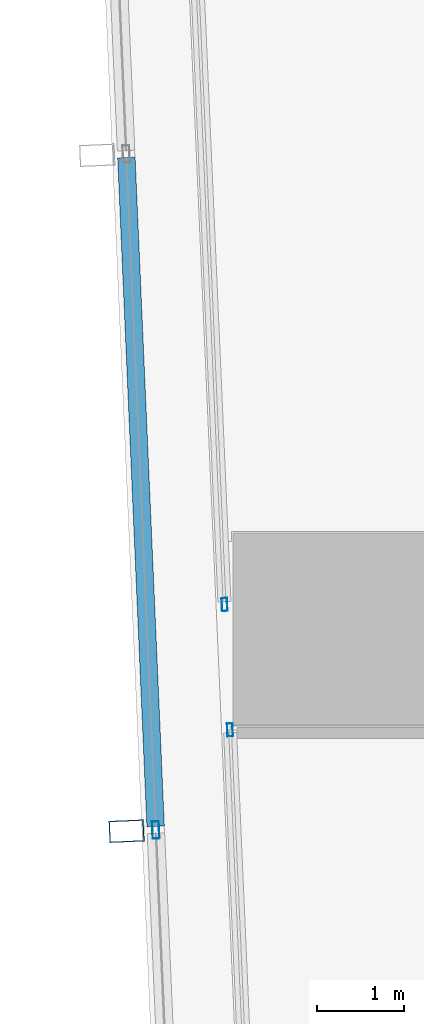
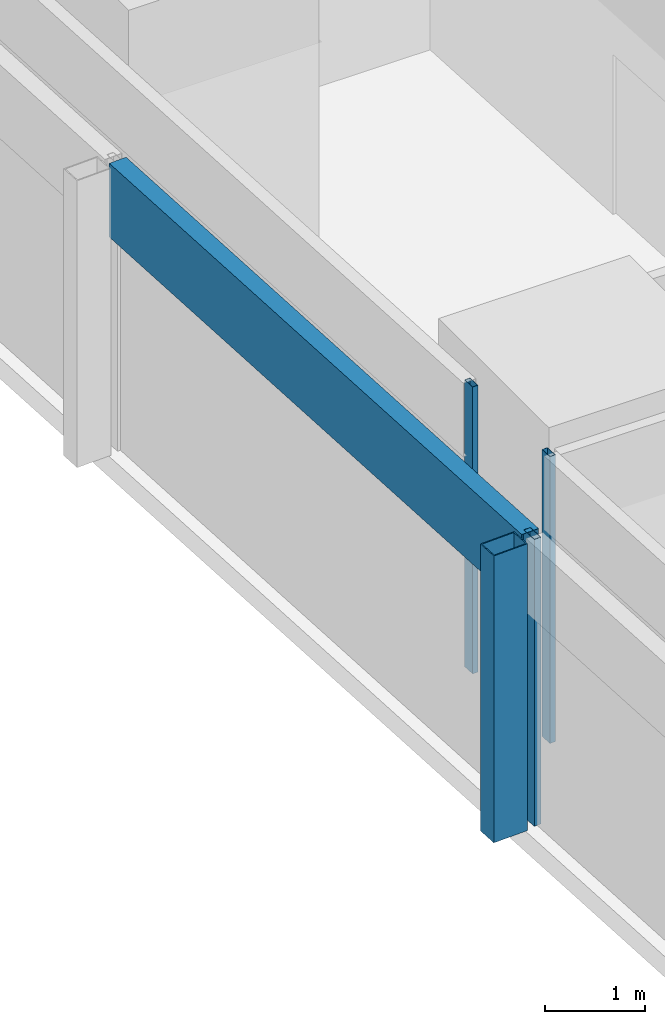
# One storey, part 4 of 42: 5 members, 3 elements without a shape of their own.
"""IFC4 building model written with IfcOpenShell, lengths in metres."""

from ifc_helpers import new_model, si_unit, direction, frame, origin, origin_2d, place, context, subcontext, project, spatial, hollow_rectangle, extrude, material, material_profile, profile_set, type_object, element, aggregate, save


model = new_model("IFC4")

# Units and contexts
model_context = context("Model", 3, precision=1e-05, world=origin(), true_north=direction((0.0, 1.0)))
body_context = subcontext(model_context, "Body", "Model", "MODEL_VIEW")
ifc_project = project(units=[si_unit("LENGTHUNIT", "METRE"), si_unit("AREAUNIT", "SQUARE_METRE"), si_unit("VOLUMEUNIT", "CUBIC_METRE"), si_unit("PLANEANGLEUNIT", "RADIAN"), si_unit("MASSUNIT", "GRAM", prefix="KILO")], contexts=[model_context])

# Site, building, storey
site_placement = place(None, origin())
site = spatial("IfcSite", under=ifc_project, at=site_placement, CompositionType="ELEMENT")
building_placement = place(site_placement, origin())
building = spatial("IfcBuilding", under=site, at=building_placement, Name="Rekha Terrace Tower", CompositionType="ELEMENT")
storey_placement = place(building_placement, frame((0.0, 0.0, 70.39990234375)))
storey = spatial("IfcBuildingStorey", under=building, at=storey_placement, Name="L17", CompositionType="ELEMENT", Elevation=70.39990234375)

# Curtain wall, member
ifc_material_1 = material(Name="Aluminium framing", Category="aluminium")
curtain_wall_type_1 = type_object("IfcCurtainWallType", Name="CW2 double skin outer glazing", PredefinedType="USERDEFINED", material=ifc_material_1)
curtain_wall_1_placement = place(storey_placement, origin())
curtain_wall_1 = element("IfcCurtainWall", 1, at=curtain_wall_1_placement, inside=storey, type_object=curtain_wall_type_1, Name="CW2 double skin outer glazing", ObjectType="DOUBLE SKIN OUTER GLAZING", PredefinedType="USERDEFINED")
ifc_material_2 = material(Name="Steel S355 with fluorocarbon finish", Category="steel")
ifc_material_profile_1 = material_profile(ifc_material_2, hollow_rectangle(XDim=0.25, YDim=0.39990234375, WallThickness=0.012451171875, at=origin_2d()), Name="RHS400x250x12.5")
ifc_profile_set_1 = profile_set([ifc_material_profile_1], Name="Steel S355 with fluorocarbon finish")
member_type_1 = type_object("IfcMemberType", Name="BL1 facade blade RHS 400 x 250", PredefinedType="USERDEFINED", material=ifc_profile_set_1)
member_1_placement = place(storey_placement, frame((6.080078125, 14.482421875, 0.0), z_axis=(0.0, 0.0, 1.0), x_axis=(0.04368215933, -0.999045478923, 0.0)))
member_1 = element("IfcMember", 2, at=member_1_placement, type_object=member_type_1, Name="Facade blade", ObjectType="FACADE BLADE", PredefinedType="USERDEFINED", context=body_context, shape_type="SweptSolid", body=[
    extrude(hollow_rectangle(XDim=0.25, YDim=0.39990234375, WallThickness=0.012451171875, at=origin_2d()), origin(), (0.0, 0.0, 1.0), 3.5),
])

curtain_wall_type_2 = type_object("IfcCurtainWallType", Name="CW1 double skin inner glazing", PredefinedType="USERDEFINED", material=ifc_material_1)
curtain_wall_2_placement = place(storey_placement, origin())
curtain_wall_2 = element("IfcCurtainWall", 3, at=curtain_wall_2_placement, inside=storey, type_object=curtain_wall_type_2, Name="CW1 double skin inner glazing", ObjectType="DOUBLE SKIN INNER GLAZING", PredefinedType="USERDEFINED")
ifc_material_3 = material(Name="Aluminium mullion section", Category="aluminium")
ifc_material_profile_2 = material_profile(ifc_material_3, hollow_rectangle(XDim=0.06494140625, YDim=0.14990234375, WallThickness=0.00390625, at=origin_2d()), Name="AL RHS 65x150")
ifc_profile_set_2 = profile_set([ifc_material_profile_2], Name="Aluminium mullion section")
member_type_2 = type_object("IfcMemberType", Name="CW1 mullion RHS 65 x 150", PredefinedType="MULLION", material=ifc_profile_set_2)
member_2_placement = place(storey_placement, frame((7.202880859375, 17.07958984375, 0.0), z_axis=(0.0, 0.0, 1.0), x_axis=(0.999045462133, 0.043682543337, 0.0)))
member_2 = element("IfcMember", 4, at=member_2_placement, type_object=member_type_2, Name="CW1 mullion 4", PredefinedType="MULLION", context=body_context, shape_type="SweptSolid", body=[
    extrude(hollow_rectangle(XDim=0.06494140625, YDim=0.14990234375, WallThickness=0.00390625, at=origin_2d()), origin(), (0.0, 0.0, 1.0), 3.5),
])
aggregate(curtain_wall_2, [member_2])

curtain_wall_3_placement = place(storey_placement, origin())
curtain_wall_3 = element("IfcCurtainWall", 5, at=curtain_wall_3_placement, inside=storey, type_object=curtain_wall_type_2, Name="CW1 double skin inner glazing", ObjectType="DOUBLE SKIN INNER GLAZING", PredefinedType="USERDEFINED")
member_3_placement = place(storey_placement, frame((7.265625, 15.643310546875, 0.0), z_axis=(0.0, 0.0, 1.0), x_axis=(0.999045462129, 0.043682543424, 0.0)))
member_3 = element("IfcMember", 6, at=member_3_placement, type_object=member_type_2, Name="CW1 mullion 1", PredefinedType="MULLION", context=body_context, shape_type="SweptSolid", body=[
    extrude(hollow_rectangle(XDim=0.06494140625, YDim=0.14990234375, WallThickness=0.00390625, at=origin_2d()), origin(), (0.0, 0.0, 1.0), 3.5),
])
aggregate(curtain_wall_3, [member_3])

# Member
ifc_material_profile_3 = material_profile(ifc_material_3, hollow_rectangle(XDim=0.080078125, YDim=0.199951171875, WallThickness=0.00390625, at=origin_2d()), Name="AL RHS 80x200")
ifc_profile_set_3 = profile_set([ifc_material_profile_3], Name="Aluminium mullion section")
member_type_3 = type_object("IfcMemberType", Name="CW2 mullion RHS 80 x 200", PredefinedType="MULLION", material=ifc_profile_set_3)
member_4_placement = place(storey_placement, frame((6.414794921875, 14.4970703125, 0.0), z_axis=(0.0, 0.0, 1.0), x_axis=(0.999045462131, 0.043682543372, 0.0)))
member_4 = element("IfcMember", 7, at=member_4_placement, type_object=member_type_3, Name="CW2 mullion 5", PredefinedType="MULLION", context=body_context, shape_type="SweptSolid", body=[
    extrude(hollow_rectangle(XDim=0.080078125, YDim=0.199951171875, WallThickness=0.00390625, at=origin_2d()), origin(), (0.0, 0.0, 1.0), 3.5),
])

ifc_material_4 = material(Name="Insulated aluminium spandrel box", Category="aluminium")
ifc_material_profile_4 = material_profile(ifc_material_4, hollow_rectangle(XDim=0.199951171875, YDim=0.89990234375, WallThickness=0.0029296875, at=origin_2d()), Name="AL SPANDREL BOX 200x900")
ifc_profile_set_4 = profile_set([ifc_material_profile_4], Name="Insulated aluminium spandrel box")
member_type_4 = type_object("IfcMemberType", Name="CW2 spandrel transom 200 x 900", PredefinedType="USERDEFINED", material=ifc_profile_set_4)
member_5_placement = place(storey_placement, frame((6.077880859375, 22.201416015625, 3.050048828125), z_axis=(0.043694095051, -0.999044956975, 0.0), x_axis=(0.999044956975, 0.043694095051, 0.0)))
member_5 = element("IfcMember", 8, at=member_5_placement, type_object=member_type_4, Name="CW2 spandrel transom 4", ObjectType="TRANSOM", PredefinedType="USERDEFINED", context=body_context, shape_type="SweptSolid", body=[
    extrude(hollow_rectangle(XDim=0.199951171875, YDim=0.89990234375, WallThickness=0.0029296875, at=origin_2d()), origin(), (0.0, 0.0, 1.0), 7.671630859375),
])

aggregate(curtain_wall_1, [member_4, member_5, member_1])

save(model, "model.ifc")
